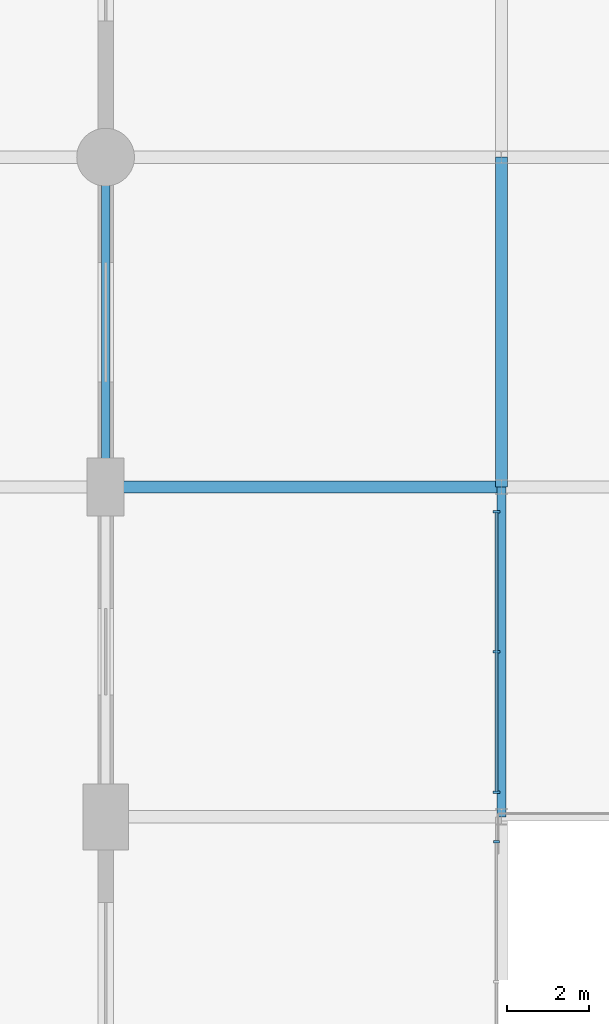
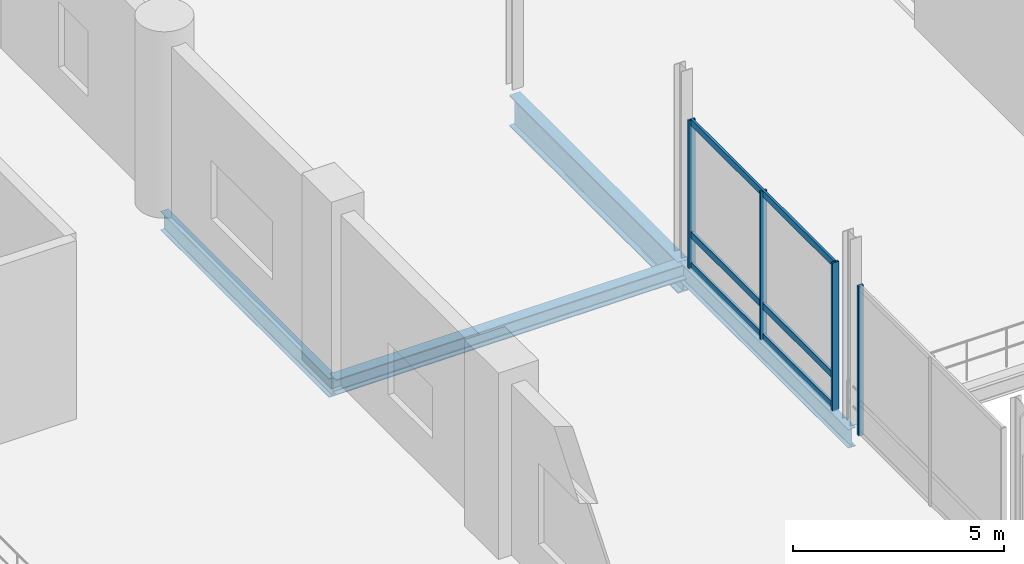
# One storey, part 52 of 129: 7 members, 4 beams, 2 elements without a shape of their own.
"""IFC4 building model written with IfcOpenShell, lengths in metres."""

import ifcopenshell
import ifcopenshell.guid

model = None  # the IFC model being written
_history = None  # IfcOwnerHistory: only IFC2X3 demands one
_inside = {}  # id of a spatial element -> (the spatial element, [elements in it])
_under = {}  # id of a project, library or spatial element -> (it, [spatial elements below it])
_declared = {}  # id of a project -> (the project, [libraries it declares])
_typed = {}  # id of a type object -> (the type object, [elements of that type])
_made_of = {}  # id of a material, layer set ... -> (it, [elements and type objects made of it])


def new_model(schema):
    """Start an empty IFC model of exactly this schema.

    Asked for "IFC4X3", IfcOpenShell would pick the latest addendum, in which some entities
    have other attributes; the version numbers below select the first issue.
    IFC2X3 requires an IfcOwnerHistory on every rooted entity: one is made here for all.
    """
    global model, _history
    if schema == "IFC4X3":
        model = ifcopenshell.file(schema_version=(4, 3, 0, 0))
    else:
        model = ifcopenshell.file(schema=schema)
    _inside.clear()
    _under.clear()
    _declared.clear()
    _typed.clear()
    _made_of.clear()
    _history = None
    if model.schema == "IFC2X3":
        org = make("IfcOrganization", Name="unknown")
        user = make(
            "IfcPersonAndOrganization",
            ThePerson=make("IfcPerson", FamilyName="unknown"),
            TheOrganization=org,
        )
        app = make(
            "IfcApplication",
            ApplicationDeveloper=org,
            Version="unknown",
            ApplicationFullName="unknown",
            ApplicationIdentifier="unknown",
        )
        _history = make(
            "IfcOwnerHistory",
            OwningUser=user,
            OwningApplication=app,
            ChangeAction="ADDED",
            CreationDate=0,
        )
    return model


def make(cls, **values):
    """One entity of the class cls with the attributes given. An attribute that is None is left unset."""
    return model.create_entity(
        cls, **{name: value for name, value in values.items() if value is not None}
    )


def rooted(cls, **values):
    """An entity with a GlobalId (a new one), such as an element, a storey or a relation."""
    return make(cls, GlobalId=ifcopenshell.guid.new(), OwnerHistory=_history, **values)


def si_unit(unit_type, name, prefix=None):
    """IfcSIUnit, for example si_unit("LENGTHUNIT", "METRE", prefix="MILLI")."""
    return make("IfcSIUnit", UnitType=unit_type, Prefix=prefix, Name=name)


def assignment(units):
    """IfcUnitAssignment: the units of a project."""
    return None if units is None else make("IfcUnitAssignment", Units=units)


def point(xyz):
    """IfcCartesianPoint."""
    return None if xyz is None else make("IfcCartesianPoint", Coordinates=xyz)


def direction(xyz):
    """IfcDirection."""
    return None if xyz is None else make("IfcDirection", DirectionRatios=xyz)


def frame(location, z_axis=None, x_axis=None):
    """IfcAxis2Placement3D, a coordinate frame: its origin and axes. An axis left out is left unset."""
    return make(
        "IfcAxis2Placement3D",
        Location=point(location),
        Axis=direction(z_axis),
        RefDirection=direction(x_axis),
    )


def frame_2d(location, x_axis=None):
    """IfcAxis2Placement2D, a coordinate frame in the plane: its origin and x axis."""
    return make(
        "IfcAxis2Placement2D", Location=point(location), RefDirection=direction(x_axis)
    )


def origin():
    """The frame at (0, 0, 0) with its axes left unset."""
    return frame((0.0, 0.0, 0.0))


def origin_2d():
    """The frame at (0, 0) in the plane with its x axis left unset."""
    return frame_2d((0.0, 0.0))


def place(relative_to, where):
    """IfcLocalPlacement: puts the frame where relative to a parent placement (None: the world)."""
    return make(
        "IfcLocalPlacement", PlacementRelTo=relative_to, RelativePlacement=where
    )


def context(
    kind, dimensions, precision=None, world=None, true_north=None, identifier=None
):
    """IfcGeometricRepresentationContext, for example the 3D "Model" context."""
    return make(
        "IfcGeometricRepresentationContext",
        ContextIdentifier=identifier,
        ContextType=kind,
        CoordinateSpaceDimension=dimensions,
        Precision=precision,
        WorldCoordinateSystem=world,
        TrueNorth=true_north,
    )


def subcontext(parent, identifier, kind, view, scale=None):
    """IfcGeometricRepresentationSubContext, for example "Body" below "Model"."""
    return make(
        "IfcGeometricRepresentationSubContext",
        ContextIdentifier=identifier,
        ContextType=kind,
        ParentContext=parent,
        TargetScale=scale,
        TargetView=view,
    )


def project(units=None, contexts=None):
    """IfcProject with its units and contexts."""
    return rooted(
        "IfcProject",
        Name="project",
        RepresentationContexts=contexts,
        UnitsInContext=assignment(units),
    )


def spatial(cls, under=None, at=None, **own):
    """A site, building, storey or space (cls), placed at a placement, below another one or the project."""
    s = rooted(cls, ObjectPlacement=at, **own)
    if under is not None:
        _under.setdefault(under.id(), (under, []))[1].append(s)
    return s


def profile(cls, at=None, kind="AREA", **sizes):
    """A parametric profile (cls). Its sizes go by their IFC names, for example OverallWidth=200.0."""
    return make(cls, ProfileType=kind, Position=at, **sizes)


def rectangle(**sizes):
    """IfcRectangleProfileDef."""
    return profile("IfcRectangleProfileDef", **sizes)


def i_section(**sizes):
    """IfcIShapeProfileDef."""
    return profile("IfcIShapeProfileDef", **sizes)


def extrude(swept, where, along, depth):
    """IfcExtrudedAreaSolid: the profile swept, set in the frame where, extruded along a direction by depth."""
    return make(
        "IfcExtrudedAreaSolid",
        SweptArea=swept,
        Position=where,
        ExtrudedDirection=direction(along),
        Depth=depth,
    )


def shape(context_of_items, identifier, shape_type, items):
    """IfcShapeRepresentation: the items that make up one representation, for example the "Body"."""
    return make(
        "IfcShapeRepresentation",
        ContextOfItems=context_of_items,
        RepresentationIdentifier=identifier,
        RepresentationType=shape_type,
        Items=items,
    )


def material(Name=None, Category=None):
    """IfcMaterial."""
    return make("IfcMaterial", Name=Name, Category=Category)


def material_profile(
    of_material, cross_section, Name=None, Category=None, Priority=None
):
    """IfcMaterialProfile: a cross section and its material."""
    return make(
        "IfcMaterialProfile",
        Name=Name,
        Material=of_material,
        Profile=cross_section,
        Priority=Priority,
        Category=Category,
    )


def profile_set(profiles, Name=None, composite=None):
    """IfcMaterialProfileSet."""
    return make(
        "IfcMaterialProfileSet",
        Name=Name,
        MaterialProfiles=profiles,
        CompositeProfile=composite,
    )


def made_of(thing, what):
    """Note that an element or type object is made of a material, layer set ...; save() writes the relation."""
    if what is not None:
        _made_of.setdefault(what.id(), (what, []))[1].append(thing)
    return thing


def type_object(cls, material=None, **own):
    """A type object (cls), such as IfcWallType, which elements share."""
    return made_of(rooted(cls, **own), material)


def element(
    cls,
    number,
    at=None,
    inside=None,
    cuts=None,
    type_object=None,
    material=None,
    context=None,
    identifier="Body",
    shape_type=None,
    held_by="IfcProductDefinitionShape",
    body=None,
    shapes=None,
    **own,
):
    """One element of the class cls, such as IfcWall. Its Tag is "e" and its number.

    at: its placement. inside: the storey or other place that contains it. cuts: it is an
    opening in that element (IfcRelVoidsElement). A single representation is given by context,
    identifier, shape_type and body (its items); several are given by shapes. held_by: the class
    of the entity that holds the representations. save() writes the other relations.
    """
    e = rooted(cls, Tag="e%d" % number, ObjectPlacement=at, **own)
    if body is not None:
        shapes = [shape(context, identifier, shape_type, body)]
    if shapes is not None:
        e.Representation = make(held_by, Representations=shapes)
    if inside is not None:
        _inside.setdefault(inside.id(), (inside, []))[1].append(e)
    if cuts is not None:
        rooted(
            "IfcRelVoidsElement", RelatingBuildingElement=cuts, RelatedOpeningElement=e
        )
    if type_object is not None:
        _typed.setdefault(type_object.id(), (type_object, []))[1].append(e)
    return made_of(e, material)


def aggregate(whole, parts):
    """IfcRelAggregates: a whole, such as a stair, and the parts it consists of."""
    return rooted("IfcRelAggregates", RelatingObject=whole, RelatedObjects=parts)


def save(model, path):
    """Write the relations noted so far, then the file.

    IfcRelAggregates (storeys below a building ...), IfcRelContainedInSpatialStructure (elements
    in a storey), IfcRelDefinesByType, IfcRelAssociatesMaterial and IfcRelDeclares: one each for
    every whole, place, type object, material and project.
    """
    for whole, parts in _under.values():
        aggregate(whole, parts)
    for where, things in _inside.values():
        rooted(
            "IfcRelContainedInSpatialStructure",
            RelatedElements=things,
            RelatingStructure=where,
        )
    for kind, things in _typed.values():
        rooted("IfcRelDefinesByType", RelatedObjects=things, RelatingType=kind)
    for what, things in _made_of.values():
        rooted("IfcRelAssociatesMaterial", RelatedObjects=things, RelatingMaterial=what)
    for by, libraries in _declared.values():
        rooted("IfcRelDeclares", RelatingContext=by, RelatedDefinitions=libraries)
    model.write(path)


model = new_model("IFC4")

# Units and contexts
model_context = context("Model", 3, precision=1e-05, world=origin(), true_north=direction((0.0, 1.0)))
body_context = subcontext(model_context, "Body", "Model", "MODEL_VIEW")
ifc_project = project(units=[si_unit("LENGTHUNIT", "METRE"), si_unit("AREAUNIT", "SQUARE_METRE"), si_unit("VOLUMEUNIT", "CUBIC_METRE"), si_unit("PLANEANGLEUNIT", "RADIAN"), si_unit("MASSUNIT", "GRAM", prefix="KILO")], contexts=[model_context])

# Site, building, storey
site_placement = place(None, origin())
site = spatial("IfcSite", under=ifc_project, at=site_placement, CompositionType="ELEMENT")
building_placement = place(site_placement, origin())
building = spatial("IfcBuilding", under=site, at=building_placement, Name="Danafjord Basin Convention Centre", CompositionType="ELEMENT")
storey_placement = place(building_placement, frame((0.0, 0.0, 6.0)))
storey = spatial("IfcBuildingStorey", under=building, at=storey_placement, Name="L01", CompositionType="ELEMENT", Elevation=6.0)

# Beams
ifc_material_1 = material(Name="Steel S355", Category="steel")
ifc_material_profile_1 = material_profile(ifc_material_1, i_section(OverallWidth=0.300048828125, OverallDepth=0.449951171875, WebThickness=0.013916015625, FlangeThickness=0.02587890625, FilletRadius=0.027099609375, at=origin_2d()), Name="HEB 450")
ifc_profile_set_1 = profile_set([ifc_material_profile_1], Name="Steel S355")
beam_type_1 = type_object("IfcBeamType", Name="BEAM-BM-HEB450", PredefinedType="BEAM", material=ifc_profile_set_1)
beam_1_placement = place(storey_placement, frame((115.199951171875, 120.0, -0.455078125), z_axis=(1.0, 0.0, 0.0), x_axis=(0.0, 1.0, 0.0)))
element("IfcBeam", 1, at=beam_1_placement, inside=storey, type_object=beam_type_1, Name="L01 girder BM-HEB450", PredefinedType="BEAM", context=body_context, shape_type="SweptSolid", body=[
    extrude(i_section(OverallWidth=0.300048828125, OverallDepth=0.449951171875, WebThickness=0.013916015625, FlangeThickness=0.02587890625, FilletRadius=0.027099609375, at=origin_2d()), origin(), (0.0, 0.0, 1.0), 9.60009765625),
])
ifc_material_profile_2 = material_profile(ifc_material_1, i_section(OverallWidth=0.300048828125, OverallDepth=0.89990234375, WebThickness=0.0185546875, FlangeThickness=0.034912109375, FilletRadius=0.030029296875, at=origin_2d()), Name="HEB 900")
ifc_profile_set_2 = profile_set([ifc_material_profile_2], Name="Steel S355")
beam_type_2 = type_object("IfcBeamType", Name="BEAM-BM-HEB900", PredefinedType="BEAM", material=ifc_profile_set_2)
beam_2_placement = place(storey_placement, frame((124.800048828125, 120.0, -0.679931640625), z_axis=(0.0, 1.0, 0.0), x_axis=(-1.0, 0.0, 0.0)))
element("IfcBeam", 2, at=beam_2_placement, inside=storey, type_object=beam_type_2, Name="L01 transverse girder BM-HEB900", PredefinedType="BEAM", context=body_context, shape_type="SweptSolid", body=[
    extrude(i_section(OverallWidth=0.300048828125, OverallDepth=0.89990234375, WebThickness=0.0185546875, FlangeThickness=0.034912109375, FilletRadius=0.030029296875, at=origin_2d()), origin(), (0.0, 0.0, 1.0), 8.0),
])
ifc_material_profile_3 = material_profile(ifc_material_1, i_section(OverallWidth=0.2099609375, OverallDepth=0.550048828125, WebThickness=0.010986328125, FlangeThickness=0.01708984375, FilletRadius=0.02392578125, at=origin_2d()), Name="IPE 550")
ifc_profile_set_3 = profile_set([ifc_material_profile_3], Name="Steel S355")
beam_type_3 = type_object("IfcBeamType", Name="BEAM-BM-IPE550", PredefinedType="BEAM", material=ifc_profile_set_3)
for number, where, z_axis, x_axis, name in (
    (3, (115.199951171875, 120.0, -0.52490234375), (0.0, 1.0, 0.0), (-1.0, 0.0, 0.0), "L01 transverse girder BM-IPE550"),
    (4, (124.800048828125, 112.0, -0.5048828125), (0.0, 1.0, 0.0), (-1.0, 0.0, 0.0), "L01 transverse girder BM-IPE550"),
):
    element("IfcBeam", number, at=place(storey_placement, frame(where, z_axis=z_axis, x_axis=x_axis)), inside=storey, type_object=beam_type_3, Name=name, PredefinedType="BEAM", context=body_context, shape_type="SweptSolid", body=[
        extrude(i_section(OverallWidth=0.2099609375, OverallDepth=0.550048828125, WebThickness=0.010986328125, FlangeThickness=0.01708984375, FilletRadius=0.02392578125, at=origin_2d()), origin(), (0.0, 0.0, 1.0), 8.0),
    ])

# Curtain wall, member
ifc_material_2 = material(Name="Anodised aluminium and triple glazing", Category="aluminium")
curtain_wall_type = type_object("IfcCurtainWallType", Name="CW-CW-BRIDGE", PredefinedType="NOTDEFINED", material=ifc_material_2)
curtain_wall_1_placement = place(storey_placement, origin())
curtain_wall_1 = element("IfcCurtainWall", 5, at=curtain_wall_1_placement, inside=storey, type_object=curtain_wall_type, Name="L01 CW-BRIDGE unitised curtain wall bay 175", PredefinedType="NOTDEFINED")
ifc_material_3 = material(Name="Anodised aluminium EN AW-6060", Category="aluminium")
ifc_material_profile_4 = material_profile(ifc_material_3, rectangle(XDim=0.06005859375, YDim=0.139892578125, at=origin_2d()), Name="MULL 60x140")
ifc_profile_set_4 = profile_set([ifc_material_profile_4], Name="Anodised aluminium EN AW-6060")
member_type_1 = type_object("IfcMemberType", Name="MEM-ML-140", PredefinedType="MULLION", material=ifc_profile_set_4)
member_1_placement = place(storey_placement, frame((124.679931640625, 111.39990234375, -0.02490234375), z_axis=(0.0, 0.0, 1.0), x_axis=(0.0, 1.0, 0.0)))
member_1 = element("IfcMember", 6, at=member_1_placement, type_object=member_type_1, Name="CW-L01-175 mullion 3", PredefinedType="MULLION", context=body_context, shape_type="SweptSolid", body=[
    extrude(rectangle(XDim=0.06005859375, YDim=0.139892578125, at=origin_2d()), origin(), (0.0, 0.0, 1.0), 4.349853515625),
])
aggregate(curtain_wall_1, [member_1])

# Curtain wall, members
curtain_wall_2_placement = place(storey_placement, origin())
curtain_wall_2 = element("IfcCurtainWall", 7, at=curtain_wall_2_placement, inside=storey, type_object=curtain_wall_type, Name="L01 CW-BRIDGE unitised curtain wall bay 176", PredefinedType="NOTDEFINED")
ifc_material_profile_5 = material_profile(ifc_material_3, rectangle(XDim=0.06005859375, YDim=0.179931640625, at=origin_2d()), Name="MULL 60x180")
ifc_profile_set_5 = profile_set([ifc_material_profile_5], Name="Anodised aluminium EN AW-6060")
member_type_2 = type_object("IfcMemberType", Name="MEM-ML-180", PredefinedType="MULLION", material=ifc_profile_set_5)
member_2_placement = place(storey_placement, frame((124.679931640625, 112.60009765625, -0.02490234375), z_axis=(0.0, 0.0, 1.0), x_axis=(0.0, 1.0, 0.0)))
member_2 = element("IfcMember", 8, at=member_2_placement, type_object=member_type_2, Name="CW-L01-176 mullion 1", PredefinedType="MULLION", context=body_context, shape_type="SweptSolid", body=[
    extrude(rectangle(XDim=0.06005859375, YDim=0.179931640625, at=origin_2d()), origin(), (0.0, 0.0, 1.0), 4.2998046875),
])
member_3_placement = place(storey_placement, frame((124.679931640625, 116.0, -0.02490234375), z_axis=(0.0, 0.0, 1.0), x_axis=(0.0, 1.0, 0.0)))
member_3 = element("IfcMember", 9, at=member_3_placement, type_object=member_type_2, Name="CW-L01-176 mullion 2", PredefinedType="MULLION", context=body_context, shape_type="SweptSolid", body=[
    extrude(rectangle(XDim=0.06005859375, YDim=0.179931640625, at=origin_2d()), origin(), (0.0, 0.0, 1.0), 4.2998046875),
])
member_4_placement = place(storey_placement, frame((124.679931640625, 119.39990234375, -0.02490234375), z_axis=(0.0, 0.0, 1.0), x_axis=(0.0, 1.0, 0.0)))
member_4 = element("IfcMember", 10, at=member_4_placement, type_object=member_type_2, Name="CW-L01-176 mullion 3", PredefinedType="MULLION", context=body_context, shape_type="SweptSolid", body=[
    extrude(rectangle(XDim=0.06005859375, YDim=0.179931640625, at=origin_2d()), origin(), (0.0, 0.0, 1.0), 4.2998046875),
])
ifc_material_profile_6 = material_profile(ifc_material_3, rectangle(XDim=0.06494140625, YDim=0.18994140625, at=origin_2d()), Name="TRAN 65x190")
ifc_profile_set_6 = profile_set([ifc_material_profile_6], Name="Anodised aluminium EN AW-6060")
member_type_3 = type_object("IfcMemberType", Name="MEM-TR-190", PredefinedType="USERDEFINED", material=ifc_profile_set_6)
member_5_placement = place(storey_placement, frame((124.679931640625, 112.60009765625, 0.06005859375), z_axis=(0.0, 1.0, 0.0), x_axis=(-1.0, 0.0, 0.0)))
member_5 = element("IfcMember", 11, at=member_5_placement, type_object=member_type_3, Name="CW-L01-176 transom 1", ObjectType="TRANSOM", PredefinedType="USERDEFINED", context=body_context, shape_type="SweptSolid", body=[
    extrude(rectangle(XDim=0.06494140625, YDim=0.18994140625, at=origin_2d()), origin(), (0.0, 0.0, 1.0), 6.7998046875),
])
member_6_placement = place(storey_placement, frame((124.679931640625, 112.60009765625, 0.949951171875), z_axis=(0.0, 1.0, 0.0), x_axis=(-1.0, 0.0, 0.0)))
member_6 = element("IfcMember", 12, at=member_6_placement, type_object=member_type_3, Name="CW-L01-176 transom 2", ObjectType="TRANSOM", PredefinedType="USERDEFINED", context=body_context, shape_type="SweptSolid", body=[
    extrude(rectangle(XDim=0.06494140625, YDim=0.18994140625, at=origin_2d()), origin(), (0.0, 0.0, 1.0), 6.7998046875),
])
member_7_placement = place(storey_placement, frame((124.679931640625, 112.60009765625, 4.205078125), z_axis=(0.0, 1.0, 0.0), x_axis=(-1.0, 0.0, 0.0)))
member_7 = element("IfcMember", 13, at=member_7_placement, type_object=member_type_3, Name="CW-L01-176 transom 3", ObjectType="TRANSOM", PredefinedType="USERDEFINED", context=body_context, shape_type="SweptSolid", body=[
    extrude(rectangle(XDim=0.06494140625, YDim=0.18994140625, at=origin_2d()), origin(), (0.0, 0.0, 1.0), 6.7998046875),
])
aggregate(curtain_wall_2, [member_2, member_3, member_4, member_5, member_6, member_7])

save(model, "model.ifc")
